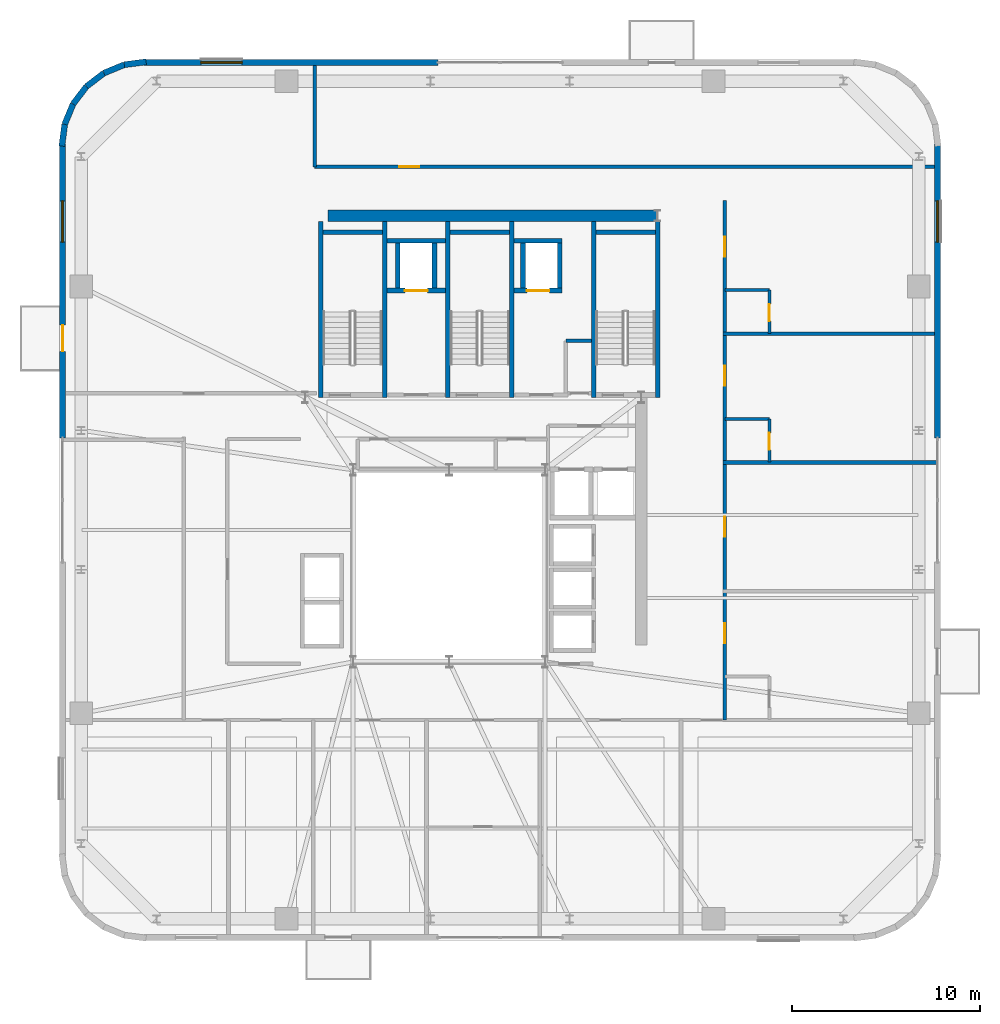
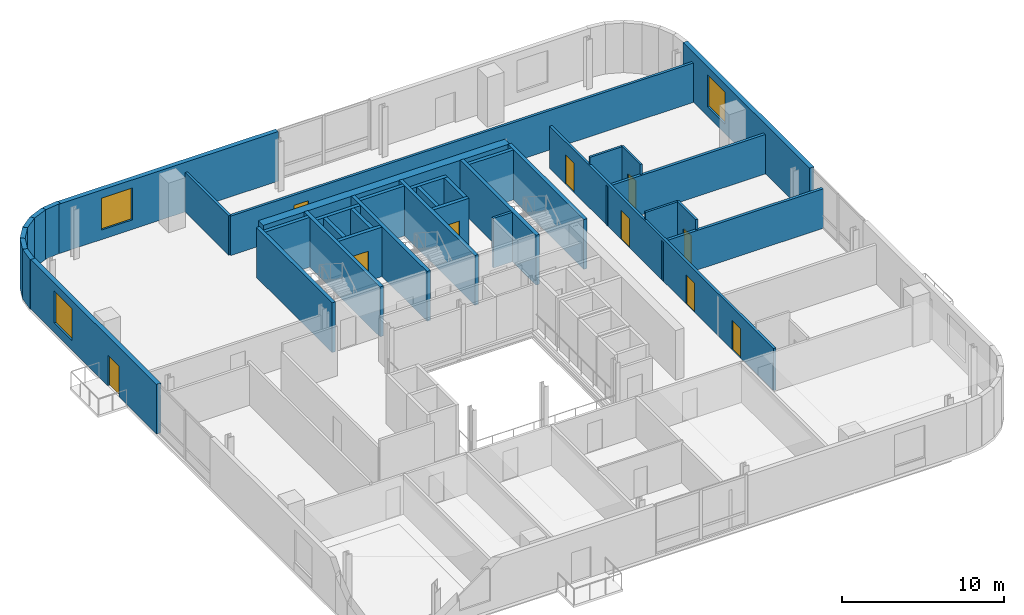
# One storey, part 10 of 15: 37 walls, 10 doors, 3 windows, 13 openings.
"""IFC4 building model written with IfcOpenShell, lengths in metres."""

from ifc_helpers import new_model, si_unit, direction, frame, frame_2d, origin, place, context, subcontext, project, spatial, rectangle, extrude, source, transform, mapped, material, layer, layer_set, type_object, element, fill, save


model = new_model("IFC4")

# Units and contexts
model_context = context("Model", 3, precision=1e-05, world=origin(), true_north=direction((0.0, 1.0)))
body_context = subcontext(model_context, "Body", "Model", "MODEL_VIEW")
ifc_project = project(units=[si_unit("LENGTHUNIT", "METRE"), si_unit("AREAUNIT", "SQUARE_METRE"), si_unit("VOLUMEUNIT", "CUBIC_METRE"), si_unit("PLANEANGLEUNIT", "RADIAN"), si_unit("MASSUNIT", "GRAM", prefix="KILO")], contexts=[model_context])

# Site, building, storey
site_placement = place(None, origin())
site = spatial("IfcSite", under=ifc_project, at=site_placement, CompositionType="ELEMENT")
building_placement = place(site_placement, origin())
building = spatial("IfcBuilding", under=site, at=building_placement, Name="Vardaveli Station Tower", CompositionType="ELEMENT")
storey_placement = place(building_placement, frame((0.0, 0.0, 246.64990234375)))
storey = spatial("IfcBuildingStorey", under=building, at=storey_placement, Name="L63", CompositionType="ELEMENT", Elevation=246.64990234375)

# Wall
ifc_material_1 = material(Name="Concrete C50/60", Category="concrete")
ifc_layer_1 = layer(ifc_material_1, 0.60009765625, Name="Concrete C50/60")
ifc_layer_set_1 = layer_set([ifc_layer_1], Name="Concrete C50/60")
wall_type_1 = type_object("IfcWallType", Name="WAL-CORE-600", PredefinedType="SHEAR", material=ifc_layer_set_1)
shared_shape_1 = source(origin(), body_context, "Body", "SweptSolid", [
    extrude(rectangle(XDim=17.52001953125, YDim=0.60009765625, at=frame_2d((8.760009765625, 0.0))), origin(), (0.0, 0.0, 1.0), 3.72998046875),
])
wall_1_placement = place(storey_placement, frame((29.85009765625, 40.300048828125, 0.0), z_axis=(0.0, 0.0, 1.0), x_axis=(1.0, 0.0, 0.0)))
element("IfcWall", 1, at=wall_1_placement, inside=storey, type_object=wall_type_1, Name="SW-L63-NORTH", PredefinedType="SHEAR", context=body_context, shape_type="MappedRepresentation", body=[
    mapped(shared_shape_1, transform((0.0, 0.0, 0.0), scale=1.0)),
])

# Wall, opening, window
ifc_material_2 = material(Name="Precast concrete C45/55", Category="concrete")
ifc_layer_2 = layer(ifc_material_2, 0.320068359375, Name="Precast concrete C45/55")
ifc_layer_set_2 = layer_set([ifc_layer_2], Name="Precast concrete C45/55")
wall_type_2 = type_object("IfcWallType", Name="WAL-EXT-STONE-320", PredefinedType="SOLIDWALL", material=ifc_layer_set_2)
shared_shape_2 = source(origin(), body_context, "Body", "SweptSolid", [
    extrude(rectangle(XDim=15.599853515625, YDim=0.320068359375, at=frame_2d((7.7998046875, 0.0))), origin(), (0.0, 0.0, 1.0), 3.72998046875),
])
wall_2_placement = place(storey_placement, frame((35.699951171875, 48.43994140625, 0.0), z_axis=(0.0, 0.0, 1.0), x_axis=(-1.0, 0.0, 0.0)))
wall_2 = element("IfcWall", 2, at=wall_2_placement, inside=storey, type_object=wall_type_2, Name="EW-L63-N2", PredefinedType="SOLIDWALL", context=body_context, shape_type="MappedRepresentation", body=[
    mapped(shared_shape_2, transform((0.0, 0.0, 0.0), scale=1.0)),
])
shared_shape_3 = source(origin(), body_context, "Body", "SweptSolid", [
    extrude(rectangle(XDim=2.199951171875, YDim=2.39990234375, at=frame_2d((1.10009765625, 1.199951171875))), frame((0.0, 0.169921875, 0.0), z_axis=(0.0, -1.0, 0.0), x_axis=(1.0, 0.0, 0.0)), (0.0, 0.0, 1.0), 0.340087890625),
])
opening_1_placement = place(wall_2_placement, frame((10.39501953125, 0.0, 0.719970703125)))
opening_1 = element("IfcOpeningElement", 3, at=opening_1_placement, cuts=wall_2, Name="Opening W-03", PredefinedType="OPENING", context=body_context, shape_type="MappedRepresentation", body=[
    mapped(shared_shape_3, transform((0.0, 0.0, 0.0), scale=1.0)),
])
ifc_material_3 = material(Name="Low-E solar-control glass", Category="glass")
window_type = type_object("IfcWindowType", Name="WIN-LOG-2200x2400", PartitioningType="SINGLE_PANEL", PredefinedType="WINDOW", material=ifc_material_3)
shared_shape_4 = source(origin(), body_context, "Body", "SweptSolid", [
    extrude(rectangle(XDim=2.199951171875, YDim=2.39990234375, at=frame_2d((1.10009765625, 1.199951171875))), frame((0.0, 0.030029296875, 0.0), z_axis=(0.0, -1.0, 0.0), x_axis=(1.0, 0.0, 0.0)), (0.0, 0.0, 1.0), 0.06005859375),
])
window_1_placement = place(opening_1_placement, origin())
window_1 = element("IfcWindow", 4, at=window_1_placement, inside=storey, type_object=window_type, Name="WN-L63-N2", OverallHeight=2.39990234375, OverallWidth=2.199951171875, PartitioningType="SINGLE_PANEL", PredefinedType="WINDOW", context=body_context, shape_type="MappedRepresentation", body=[
    mapped(shared_shape_4, transform((0.0, 0.0, 0.0), scale=1.0)),
])
fill(opening_1, window_1)

# Wall, openings, door, window
shared_shape_5 = source(origin(), body_context, "Body", "SweptSolid", [
    extrude(rectangle(XDim=15.60009765625, YDim=0.320068359375, at=frame_2d((7.800048828125, 0.0))), origin(), (0.0, 0.0, 1.0), 3.72998046875),
])
wall_3_placement = place(storey_placement, frame((15.760009765625, 44.10009765625, 0.0), z_axis=(0.0, 0.0, 1.0), x_axis=(0.0, -1.0, 0.0)))
wall_3 = element("IfcWall", 5, at=wall_3_placement, inside=storey, type_object=wall_type_2, Name="EW-L63-W1", PredefinedType="SOLIDWALL", context=body_context, shape_type="MappedRepresentation", body=[
    mapped(shared_shape_5, transform((0.0, 0.0, 0.0), scale=1.0)),
])
shared_shape_6 = source(origin(), body_context, "Body", "SweptSolid", [
    extrude(rectangle(XDim=1.39990234375, YDim=2.300048828125, at=frame_2d((0.699951171875, 1.14990234375))), frame((0.0, 0.169921875, 0.0), z_axis=(0.0, -1.0, 0.0), x_axis=(1.0, 0.0, 0.0)), (0.0, 0.0, 1.0), 0.340087890625),
])
opening_2_placement = place(wall_3_placement, frame((9.6103515625, 0.0, 0.0)))
opening_2 = element("IfcOpeningElement", 6, at=opening_2_placement, cuts=wall_3, Name="Opening D-09", PredefinedType="OPENING", context=body_context, shape_type="MappedRepresentation", body=[
    mapped(shared_shape_6, transform((0.0, 0.0, 0.0), scale=1.0)),
])
opening_3_placement = place(wall_3_placement, frame((3.0048828125, 0.0, 0.719970703125)))
opening_3 = element("IfcOpeningElement", 7, at=opening_3_placement, cuts=wall_3, Name="Opening W-03", PredefinedType="OPENING", context=body_context, shape_type="MappedRepresentation", body=[
    mapped(shared_shape_3, transform((0.0, 0.0, 0.0), scale=1.0)),
])
ifc_material_4 = material(Name="Thermally broken aluminium glass", Category="aluminium")
door_type_1 = type_object("IfcDoorType", Name="DR-LOG-1400x2300", OperationType="DOUBLE_DOOR_SLIDING", PredefinedType="DOOR", material=ifc_material_4)
shared_shape_7 = source(origin(), body_context, "Body", "SweptSolid", [
    extrude(rectangle(XDim=1.39990234375, YDim=2.300048828125, at=frame_2d((0.699951171875, 1.14990234375))), frame((0.0, 0.02490234375, 0.0), z_axis=(0.0, -1.0, 0.0), x_axis=(1.0, 0.0, 0.0)), (0.0, 0.0, 1.0), 0.050048828125),
])
door_1_placement = place(opening_2_placement, frame((1.39990234375, 0.0, 0.0), z_axis=(0.0, 0.0, 1.0), x_axis=(-1.0, 0.0, 0.0)))
door_1 = element("IfcDoor", 8, at=door_1_placement, inside=storey, type_object=door_type_1, Name="DLG-L63-W", OperationType="DOUBLE_DOOR_SLIDING", OverallHeight=2.300048828125, OverallWidth=1.39990234375, PredefinedType="DOOR", context=body_context, shape_type="MappedRepresentation", body=[
    mapped(shared_shape_7, transform((0.0, 0.0, 0.0), scale=1.0)),
])
fill(opening_2, door_1)
window_2_placement = place(opening_3_placement, origin())
window_2 = element("IfcWindow", 9, at=window_2_placement, inside=storey, type_object=window_type, Name="WN-L63-W1", OverallHeight=2.39990234375, OverallWidth=2.199951171875, PartitioningType="SINGLE_PANEL", PredefinedType="WINDOW", context=body_context, shape_type="MappedRepresentation", body=[
    mapped(shared_shape_4, transform((0.0, 0.0, 0.0), scale=1.0)),
])
fill(opening_3, window_2)

# Wall, opening, window
wall_4_placement = place(storey_placement, frame((62.239990234375, 28.5, 0.0), z_axis=(0.0, 0.0, 1.0), x_axis=(0.0, 1.0, 0.0)))
wall_4 = element("IfcWall", 10, at=wall_4_placement, inside=storey, type_object=wall_type_2, Name="EW-L63-E2", PredefinedType="SOLIDWALL", context=body_context, shape_type="MappedRepresentation", body=[
    mapped(shared_shape_5, transform((0.0, 0.0, 0.0), scale=1.0)),
])
opening_4_placement = place(wall_4_placement, frame((10.39501953125, 0.0, 0.719970703125)))
opening_4 = element("IfcOpeningElement", 11, at=opening_4_placement, cuts=wall_4, Name="Opening W-03", PredefinedType="OPENING", context=body_context, shape_type="MappedRepresentation", body=[
    mapped(shared_shape_3, transform((0.0, 0.0, 0.0), scale=1.0)),
])
window_3_placement = place(opening_4_placement, origin())
window_3 = element("IfcWindow", 12, at=window_3_placement, inside=storey, type_object=window_type, Name="WN-L63-E2", OverallHeight=2.39990234375, OverallWidth=2.199951171875, PartitioningType="SINGLE_PANEL", PredefinedType="WINDOW", context=body_context, shape_type="MappedRepresentation", body=[
    mapped(shared_shape_4, transform((0.0, 0.0, 0.0), scale=1.0)),
])
fill(opening_4, window_3)

# Walls
shared_shape_8 = source(origin(), body_context, "Body", "SweptSolid", [
    extrude(rectangle(XDim=1.1689453125, YDim=0.320068359375, at=frame_2d((0.58447265625, 0.0))), origin(), (0.0, 0.0, 1.0), 3.72998046875),
])
wall_5_placement = place(storey_placement, frame((17.03125, 47.1689453125, 0.0), z_axis=(0.0, 0.0, 1.0), x_axis=(-0.608387696831, -0.793639975269, 0.0)))
element("IfcWall", 13, at=wall_5_placement, inside=storey, type_object=wall_type_2, Name="EW-L63-CR4-4", PredefinedType="SOLIDWALL", context=body_context, shape_type="MappedRepresentation", body=[
    mapped(shared_shape_8, transform((0.0, 0.0, 0.0), scale=1.0)),
])
shared_shape_9 = source(origin(), body_context, "Body", "SweptSolid", [
    extrude(rectangle(XDim=1.168701171875, YDim=0.320068359375, at=frame_2d((0.58447265625, 0.0))), origin(), (0.0, 0.0, 1.0), 3.72998046875),
])
wall_6_placement = place(storey_placement, frame((17.958740234375, 47.8798828125, 0.0), z_axis=(0.0, 0.0, 1.0), x_axis=(-0.793663520347, -0.608356981114, 0.0)))
element("IfcWall", 14, at=wall_6_placement, inside=storey, type_object=wall_type_2, Name="EW-L63-CR4-3", PredefinedType="SOLIDWALL", context=body_context, shape_type="MappedRepresentation", body=[
    mapped(shared_shape_9, transform((0.0, 0.0, 0.0), scale=1.0)),
])
shared_shape_10 = source(origin(), body_context, "Body", "SweptSolid", [
    extrude(rectangle(XDim=1.17041015625, YDim=0.320068359375, at=frame_2d((0.585205078125, 0.0))), origin(), (0.0, 0.0, 1.0), 3.72998046875),
])
for number, where, z_axis, x_axis, name in (
    (15, (20.200439453125, 48.4755859375, 0.0), (0.0, 0.0, 1.0), (-0.991735963317, -0.128295670475, 0.0), "EW-L63-CR4-1"),
    (16, (15.87451171875, 45.16015625, 0.0), (0.0, 0.0, 1.0), (-0.128295670475, -0.991735963317, 0.0), "EW-L63-CR4-6"),
):
    element("IfcWall", number, at=place(storey_placement, frame(where, z_axis=z_axis, x_axis=x_axis)), inside=storey, type_object=wall_type_2, Name=name, PredefinedType="SOLIDWALL", context=body_context, shape_type="MappedRepresentation", body=[
        mapped(shared_shape_10, transform((0.0, 0.0, 0.0), scale=1.0)),
    ])
shared_shape_11 = source(origin(), body_context, "Body", "SweptSolid", [
    extrude(rectangle(XDim=1.169189453125, YDim=0.320068359375, at=frame_2d((0.58447265625, 0.0))), origin(), (0.0, 0.0, 1.0), 3.72998046875),
])
for number, where, z_axis, x_axis, name in (
    (17, (19.039794921875, 48.325439453125, 0.0), (0.0, 0.0, 1.0), (-0.924552646638, -0.381054331552, 0.0), "EW-L63-CR4-2"),
    (18, (16.320068359375, 46.2412109375, 0.0), (0.0, 0.0, 1.0), (-0.381054331552, -0.924552646638, 0.0), "EW-L63-CR4-5"),
):
    element("IfcWall", number, at=place(storey_placement, frame(where, z_axis=z_axis, x_axis=x_axis)), inside=storey, type_object=wall_type_2, Name=name, PredefinedType="SOLIDWALL", context=body_context, shape_type="MappedRepresentation", body=[
        mapped(shared_shape_11, transform((0.0, 0.0, 0.0), scale=1.0)),
    ])
ifc_material_5 = material(Name="Concrete C40/50", Category="concrete")
ifc_layer_3 = layer(ifc_material_5, 0.25, Name="Concrete C40/50")
ifc_layer_set_3 = layer_set([ifc_layer_3], Name="Concrete C40/50")
wall_type_3 = type_object("IfcWallType", Name="WAL-SHAFT-250", PredefinedType="SOLIDWALL", material=ifc_layer_set_3)
shared_shape_12 = source(origin(), body_context, "Body", "SweptSolid", [
    extrude(rectangle(XDim=9.35009765625, YDim=0.25, at=frame_2d((4.675048828125, 0.0))), origin(), (0.0, 0.0, 1.0), 3.75),
])
for number, where, z_axis, x_axis, name in (
    (19, (29.47509765625, 30.64990234375, 0.0), (0.0, 0.0, 1.0), (0.0, 1.0, 0.0), "W-L63-ST-1W"),
    (20, (32.875, 30.64990234375, 0.0), (0.0, 0.0, 1.0), (0.0, 1.0, 0.0), "W-L63-ST-1E"),
    (21, (36.22509765625, 30.64990234375, 0.0), (0.0, 0.0, 1.0), (0.0, 1.0, 0.0), "W-L63-ST-2W"),
    (22, (39.625, 30.64990234375, 0.0), (0.0, 0.0, 1.0), (0.0, 1.0, 0.0), "W-L63-ST-2E"),
    (23, (43.97509765625, 30.64990234375, 0.0), (0.0, 0.0, 1.0), (0.0, 1.0, 0.0), "W-L63-ST-3W"),
    (24, (47.375, 30.64990234375, 0.0), (0.0, 0.0, 1.0), (0.0, 1.0, 0.0), "W-L63-ST-3E"),
):
    element("IfcWall", number, at=place(storey_placement, frame(where, z_axis=z_axis, x_axis=x_axis)), inside=storey, type_object=wall_type_3, Name=name, PredefinedType="SOLIDWALL", context=body_context, shape_type="MappedRepresentation", body=[
        mapped(shared_shape_12, transform((0.0, 0.0, 0.0), scale=1.0)),
    ])
shared_shape_13 = source(origin(), body_context, "Body", "SweptSolid", [
    extrude(rectangle(XDim=3.14990234375, YDim=0.25, at=frame_2d((1.574951171875, 0.0))), origin(), (0.0, 0.0, 1.0), 3.75),
])
for number, where, z_axis, x_axis, name in (
    (25, (29.60009765625, 39.425048828125, 0.0), (0.0, 0.0, 1.0), (1.0, 0.0, 0.0), "W-L63-ST-1N"),
    (26, (36.35009765625, 39.425048828125, 0.0), (0.0, 0.0, 1.0), (1.0, 0.0, 0.0), "W-L63-ST-2N"),
    (27, (44.10009765625, 39.425048828125, 0.0), (0.0, 0.0, 1.0), (1.0, 0.0, 0.0), "W-L63-ST-3N"),
):
    element("IfcWall", number, at=place(storey_placement, frame(where, z_axis=z_axis, x_axis=x_axis)), inside=storey, type_object=wall_type_3, Name=name, PredefinedType="SOLIDWALL", context=body_context, shape_type="MappedRepresentation", body=[
        mapped(shared_shape_13, transform((0.0, 0.0, 0.0), scale=1.0)),
    ])

# Wall, opening, door
shared_shape_14 = source(origin(), body_context, "Body", "SweptSolid", [
    extrude(rectangle(XDim=3.10009765625, YDim=0.25, at=frame_2d((1.550048828125, 0.0))), origin(), (0.0, 0.0, 1.0), 3.72998046875),
])
wall_7_placement = place(storey_placement, frame((33.0, 36.324951171875, 0.0), z_axis=(0.0, 0.0, 1.0), x_axis=(1.0, 0.0, 0.0)))
wall_7 = element("IfcWall", 28, at=wall_7_placement, inside=storey, type_object=wall_type_3, Name="SHW-FFL-01-L63-S", PredefinedType="SOLIDWALL", context=body_context, shape_type="MappedRepresentation", body=[
    mapped(shared_shape_14, transform((0.0, 0.0, 0.0), scale=1.0)),
])
shared_shape_15 = source(origin(), body_context, "Body", "SweptSolid", [
    extrude(rectangle(XDim=1.199951171875, YDim=2.25, at=frame_2d((0.60009765625, 1.125))), frame((0.0, 0.135009765625, 0.0), z_axis=(0.0, -1.0, 0.0), x_axis=(1.0, 0.0, 0.0)), (0.0, 0.0, 1.0), 0.27001953125),
])
opening_5_placement = place(wall_7_placement, frame((0.949951171875, 0.0, 0.0)))
opening_5 = element("IfcOpeningElement", 29, at=opening_5_placement, cuts=wall_7, Name="Opening LD-02", PredefinedType="OPENING", context=body_context, shape_type="MappedRepresentation", body=[
    mapped(shared_shape_15, transform((0.0, 0.0, 0.0), scale=1.0)),
])
ifc_material_6 = material(Name="Brushed stainless steel", Category="steel")
door_type_2 = type_object("IfcDoorType", Name="DR-LD-1200x2250", OperationType="DOUBLE_DOOR_SLIDING", PredefinedType="DOOR", material=ifc_material_6)
shared_shape_16 = source(origin(), body_context, "Body", "SweptSolid", [
    extrude(rectangle(XDim=1.199951171875, YDim=2.25, at=frame_2d((0.60009765625, 1.125))), frame((0.0, 0.02490234375, 0.0), z_axis=(0.0, -1.0, 0.0), x_axis=(1.0, 0.0, 0.0)), (0.0, 0.0, 1.0), 0.050048828125),
])
door_2_placement = place(opening_5_placement, origin())
door_2 = element("IfcDoor", 30, at=door_2_placement, inside=storey, type_object=door_type_2, Name="LD-FFL-01-L63", OperationType="DOUBLE_DOOR_SLIDING", OverallHeight=2.25, OverallWidth=1.199951171875, PredefinedType="DOOR", context=body_context, shape_type="MappedRepresentation", body=[
    mapped(shared_shape_16, transform((0.0, 0.0, 0.0), scale=1.0)),
])
fill(opening_5, door_2)

# Walls
wall_8_placement = place(storey_placement, frame((33.0, 38.97509765625, 0.0), z_axis=(0.0, 0.0, 1.0), x_axis=(1.0, 0.0, 0.0)))
element("IfcWall", 31, at=wall_8_placement, inside=storey, type_object=wall_type_3, Name="SHW-FFL-01-L63-N", PredefinedType="SOLIDWALL", context=body_context, shape_type="MappedRepresentation", body=[
    mapped(shared_shape_14, transform((0.0, 0.0, 0.0), scale=1.0)),
])
shared_shape_17 = source(origin(), body_context, "Body", "SweptSolid", [
    extrude(rectangle(XDim=2.400146484375, YDim=0.25, at=frame_2d((1.2001953125, 0.0))), origin(), (0.0, 0.0, 1.0), 3.72998046875),
])
for number, where, z_axis, x_axis, name in (
    (32, (33.574951171875, 36.449951171875, 0.0), (0.0, 0.0, 1.0), (0.0, 1.0, 0.0), "SHW-FFL-01-L63-W"),
    (33, (35.52490234375, 36.449951171875, 0.0), (0.0, 0.0, 1.0), (0.0, 1.0, 0.0), "SHW-FFL-01-L63-E"),
    (34, (40.22509765625, 36.449951171875, 0.0), (0.0, 0.0, 1.0), (0.0, 1.0, 0.0), "SHW-FFL-02-L63-W"),
    (35, (42.175048828125, 36.449951171875, 0.0), (0.0, 0.0, 1.0), (0.0, 1.0, 0.0), "SHW-FFL-02-L63-E"),
):
    element("IfcWall", number, at=place(storey_placement, frame(where, z_axis=z_axis, x_axis=x_axis)), inside=storey, type_object=wall_type_3, Name=name, PredefinedType="SOLIDWALL", context=body_context, shape_type="MappedRepresentation", body=[
        mapped(shared_shape_17, transform((0.0, 0.0, 0.0), scale=1.0)),
    ])

# Wall, opening, door
shared_shape_18 = source(origin(), body_context, "Body", "SweptSolid", [
    extrude(rectangle(XDim=2.550048828125, YDim=0.25, at=frame_2d((1.27490234375, 0.0))), origin(), (0.0, 0.0, 1.0), 3.72998046875),
])
wall_9_placement = place(storey_placement, frame((39.75, 36.324951171875, 0.0), z_axis=(0.0, 0.0, 1.0), x_axis=(1.0, 0.0, 0.0)))
wall_9 = element("IfcWall", 36, at=wall_9_placement, inside=storey, type_object=wall_type_3, Name="SHW-FFL-02-L63-S", PredefinedType="SOLIDWALL", context=body_context, shape_type="MappedRepresentation", body=[
    mapped(shared_shape_18, transform((0.0, 0.0, 0.0), scale=1.0)),
])
opening_6_placement = place(wall_9_placement, frame((0.675048828125, 0.0, 0.0)))
opening_6 = element("IfcOpeningElement", 37, at=opening_6_placement, cuts=wall_9, Name="Opening LD-02", PredefinedType="OPENING", context=body_context, shape_type="MappedRepresentation", body=[
    mapped(shared_shape_15, transform((0.0, 0.0, 0.0), scale=1.0)),
])
door_3_placement = place(opening_6_placement, origin())
door_3 = element("IfcDoor", 38, at=door_3_placement, inside=storey, type_object=door_type_2, Name="LD-FFL-02-L63", OperationType="DOUBLE_DOOR_SLIDING", OverallHeight=2.25, OverallWidth=1.199951171875, PredefinedType="DOOR", context=body_context, shape_type="MappedRepresentation", body=[
    mapped(shared_shape_16, transform((0.0, 0.0, 0.0), scale=1.0)),
])
fill(opening_6, door_3)

# Wall
wall_10_placement = place(storey_placement, frame((39.75, 38.97509765625, 0.0), z_axis=(0.0, 0.0, 1.0), x_axis=(1.0, 0.0, 0.0)))
element("IfcWall", 39, at=wall_10_placement, inside=storey, type_object=wall_type_3, Name="SHW-FFL-02-L63-N", PredefinedType="SOLIDWALL", context=body_context, shape_type="MappedRepresentation", body=[
    mapped(shared_shape_18, transform((0.0, 0.0, 0.0), scale=1.0)),
])

# Wall, opening, door
ifc_material_7 = material(Name="Fire-rated gypsum stud partition")
ifc_layer_4 = layer(ifc_material_7, 0.179931640625, Name="Fire-rated gypsum stud partition")
ifc_layer_set_4 = layer_set([ifc_layer_4], Name="Fire-rated gypsum stud partition")
wall_type_4 = type_object("IfcWallType", Name="WAL-CORR-180", PredefinedType="PARTITIONING", material=ifc_layer_set_4)
shared_shape_19 = source(origin(), body_context, "Body", "SweptSolid", [
    extrude(rectangle(XDim=32.927978515625, YDim=0.179931640625, at=frame_2d((16.4638671875, 0.0))), origin(), (0.0, 0.0, 1.0), 2.97216796875),
])
wall_11_placement = place(storey_placement, frame((29.14990234375, 42.89990234375, 0.0), z_axis=(0.0, 0.0, 1.0), x_axis=(1.0, 0.0, 0.0)))
wall_11 = element("IfcWall", 40, at=wall_11_placement, inside=storey, type_object=wall_type_4, Name="W-L63-NPS", PredefinedType="PARTITIONING", context=body_context, shape_type="MappedRepresentation", body=[
    mapped(shared_shape_19, transform((0.0, 0.0, 0.0), scale=1.0)),
])
shared_shape_20 = source(origin(), body_context, "Body", "SweptSolid", [
    extrude(rectangle(XDim=1.050048828125, YDim=2.199951171875, at=frame_2d((0.52490234375, 1.10009765625))), frame((0.0, 0.10009765625, 0.0), z_axis=(0.0, -1.0, 0.0), x_axis=(1.0, 0.0, 0.0)), (0.0, 0.0, 1.0), 0.199951171875),
])
opening_7_placement = place(wall_11_placement, frame((4.5, 0.0, 0.0)))
opening_7 = element("IfcOpeningElement", 41, at=opening_7_placement, cuts=wall_11, Name="Opening D-05", PredefinedType="OPENING", context=body_context, shape_type="MappedRepresentation", body=[
    mapped(shared_shape_20, transform((0.0, 0.0, 0.0), scale=1.0)),
])
ifc_material_8 = material(Name="Walnut veneer acoustic fire door")
door_type_3 = type_object("IfcDoorType", Name="DR-SUITE-1050x2200", OperationType="NOTDEFINED", PredefinedType="DOOR", material=ifc_material_8)
shared_shape_21 = source(origin(), body_context, "Body", "SweptSolid", [
    extrude(rectangle(XDim=1.050048828125, YDim=2.199951171875, at=frame_2d((0.52490234375, 1.10009765625))), frame((0.0, 0.02490234375, 0.0), z_axis=(0.0, -1.0, 0.0), x_axis=(1.0, 0.0, 0.0)), (0.0, 0.0, 1.0), 0.050048828125),
])
door_4_placement = place(opening_7_placement, origin())
door_4 = element("IfcDoor", 42, at=door_4_placement, inside=storey, type_object=door_type_3, Name="D-L63-NP1", OperationType="SINGLE_SWING_RIGHT", OverallHeight=2.199951171875, OverallWidth=1.050048828125, PredefinedType="DOOR", context=body_context, shape_type="MappedRepresentation", body=[
    mapped(shared_shape_21, transform((0.0, 0.0, 0.0), scale=1.0)),
])
fill(opening_7, door_4)

# Walls
ifc_material_9 = material(Name="Moisture-resistant stud partition")
ifc_layer_5 = layer(ifc_material_9, 0.14990234375, Name="Moisture-resistant stud partition")
ifc_layer_set_5 = layer_set([ifc_layer_5], Name="Moisture-resistant stud partition")
wall_type_5 = type_object("IfcWallType", Name="WAL-WET-150", PredefinedType="PARTITIONING", material=ifc_layer_set_5)
shared_shape_22 = source(origin(), body_context, "Body", "SweptSolid", [
    extrude(rectangle(XDim=2.360107421875, YDim=0.14990234375, at=frame_2d((1.18017578125, 0.0))), origin(), (0.0, 0.0, 1.0), 3.72998046875),
])
for number, where, z_axis, x_axis, name in (
    (43, (50.949951171875, 29.5048828125, 0.0), (0.0, 0.0, 1.0), (1.0, 0.0, 0.0), "W-L63-BE3-N"),
    (44, (50.949951171875, 36.347900390625, 0.0), (0.0, 0.0, 1.0), (1.0, 0.0, 0.0), "W-L63-BE4-N"),
):
    element("IfcWall", number, at=place(storey_placement, frame(where, z_axis=z_axis, x_axis=x_axis)), inside=storey, type_object=wall_type_5, Name=name, PredefinedType="PARTITIONING", context=body_context, shape_type="MappedRepresentation", body=[
        mapped(shared_shape_22, transform((0.0, 0.0, 0.0), scale=1.0)),
    ])
shared_shape_23 = source(origin(), body_context, "Body", "SweptSolid", [
    extrude(rectangle(XDim=1.347900390625, YDim=0.179931640625, at=frame_2d((0.673828125, 0.0))), origin(), (0.0, 0.0, 1.0), 3.72998046875),
])
wall_12_placement = place(storey_placement, frame((42.5, 33.64990234375, 0.0), z_axis=(0.0, 0.0, 1.0), x_axis=(1.0, 0.0, 0.0)))
element("IfcWall", 45, at=wall_12_placement, inside=storey, type_object=wall_type_4, Name="W-L63-CBS0-N", PredefinedType="PARTITIONING", context=body_context, shape_type="MappedRepresentation", body=[
    mapped(shared_shape_23, transform((0.0, 0.0, 0.0), scale=1.0)),
])

# Wall, openings, doors
shared_shape_24 = source(origin(), body_context, "Body", "SweptSolid", [
    extrude(rectangle(XDim=27.590087890625, YDim=0.179931640625, at=frame_2d((13.794921875, 0.0))), origin(), (0.0, 0.0, 1.0), 3.172119140625),
])
wall_13_placement = place(storey_placement, frame((50.949951171875, 13.510009765625, 0.0), z_axis=(0.0, 0.0, 1.0), x_axis=(0.0, 1.0, 0.0)))
wall_13 = element("IfcWall", 46, at=wall_13_placement, inside=storey, type_object=wall_type_4, Name="W-L63-CE", PredefinedType="PARTITIONING", context=body_context, shape_type="MappedRepresentation", body=[
    mapped(shared_shape_24, transform((0.0, 0.0, 0.0), scale=1.0)),
])
opening_8_placement = place(wall_13_placement, frame((4.086181640625, 0.0, 0.0)))
opening_8 = element("IfcOpeningElement", 47, at=opening_8_placement, cuts=wall_13, Name="Opening D-05", PredefinedType="OPENING", context=body_context, shape_type="MappedRepresentation", body=[
    mapped(shared_shape_20, transform((0.0, 0.0, 0.0), scale=1.0)),
])
opening_9_placement = place(wall_13_placement, frame((9.743896484375, 0.0, 0.0)))
opening_9 = element("IfcOpeningElement", 48, at=opening_9_placement, cuts=wall_13, Name="Opening D-05", PredefinedType="OPENING", context=body_context, shape_type="MappedRepresentation", body=[
    mapped(shared_shape_20, transform((0.0, 0.0, 0.0), scale=1.0)),
])
opening_10_placement = place(wall_13_placement, frame((17.771240234375, 0.0, 0.0)))
opening_10 = element("IfcOpeningElement", 49, at=opening_10_placement, cuts=wall_13, Name="Opening D-05", PredefinedType="OPENING", context=body_context, shape_type="MappedRepresentation", body=[
    mapped(shared_shape_20, transform((0.0, 0.0, 0.0), scale=1.0)),
])
opening_11_placement = place(wall_13_placement, frame((24.61376953125, 0.0, 0.0)))
opening_11 = element("IfcOpeningElement", 50, at=opening_11_placement, cuts=wall_13, Name="Opening D-05", PredefinedType="OPENING", context=body_context, shape_type="MappedRepresentation", body=[
    mapped(shared_shape_20, transform((0.0, 0.0, 0.0), scale=1.0)),
])
door_5_placement = place(opening_8_placement, origin())
door_5 = element("IfcDoor", 51, at=door_5_placement, inside=storey, type_object=door_type_3, Name="D-L63-GE1", OperationType="SINGLE_SWING_LEFT", OverallHeight=2.199951171875, OverallWidth=1.050048828125, PredefinedType="DOOR", context=body_context, shape_type="MappedRepresentation", body=[
    mapped(shared_shape_21, transform((0.0, 0.0, 0.0), scale=1.0)),
])
fill(opening_8, door_5)
door_6_placement = place(opening_9_placement, origin())
door_6 = element("IfcDoor", 52, at=door_6_placement, inside=storey, type_object=door_type_3, Name="D-L63-GE2", OperationType="SINGLE_SWING_RIGHT", OverallHeight=2.199951171875, OverallWidth=1.050048828125, PredefinedType="DOOR", context=body_context, shape_type="MappedRepresentation", body=[
    mapped(shared_shape_21, transform((0.0, 0.0, 0.0), scale=1.0)),
])
fill(opening_9, door_6)
door_7_placement = place(opening_10_placement, origin())
door_7 = element("IfcDoor", 53, at=door_7_placement, inside=storey, type_object=door_type_3, Name="D-L63-GE3", OperationType="SINGLE_SWING_LEFT", OverallHeight=2.199951171875, OverallWidth=1.050048828125, PredefinedType="DOOR", context=body_context, shape_type="MappedRepresentation", body=[
    mapped(shared_shape_21, transform((0.0, 0.0, 0.0), scale=1.0)),
])
fill(opening_10, door_7)
door_8_placement = place(opening_11_placement, origin())
door_8 = element("IfcDoor", 54, at=door_8_placement, inside=storey, type_object=door_type_3, Name="D-L63-GE4", OperationType="SINGLE_SWING_RIGHT", OverallHeight=2.199951171875, OverallWidth=1.050048828125, PredefinedType="DOOR", context=body_context, shape_type="MappedRepresentation", body=[
    mapped(shared_shape_21, transform((0.0, 0.0, 0.0), scale=1.0)),
])
fill(opening_11, door_8)

# Wall, opening, door
shared_shape_25 = source(origin(), body_context, "Body", "SweptSolid", [
    extrude(rectangle(XDim=2.289794921875, YDim=0.14990234375, at=frame_2d((1.14501953125, 0.0))), origin(), (0.0, 0.0, 1.0), 3.72998046875),
])
wall_14_placement = place(storey_placement, frame((53.31005859375, 27.215087890625, 0.0), z_axis=(0.0, 0.0, 1.0), x_axis=(0.0, 1.0, 0.0)))
wall_14 = element("IfcWall", 55, at=wall_14_placement, inside=storey, type_object=wall_type_5, Name="W-L63-BE3-E", PredefinedType="PARTITIONING", context=body_context, shape_type="MappedRepresentation", body=[
    mapped(shared_shape_25, transform((0.0, 0.0, 0.0), scale=1.0)),
])
shared_shape_26 = source(origin(), body_context, "Body", "SweptSolid", [
    extrude(rectangle(XDim=0.89990234375, YDim=2.10009765625, at=frame_2d((0.449951171875, 1.050048828125))), frame((0.0, 0.0849609375, 0.0), z_axis=(0.0, -1.0, 0.0), x_axis=(1.0, 0.0, 0.0)), (0.0, 0.0, 1.0), 0.169921875),
])
opening_12_placement = place(wall_14_placement, frame((0.64990234375, 0.0, 0.0)))
opening_12 = element("IfcOpeningElement", 56, at=opening_12_placement, cuts=wall_14, Name="Opening D-08", PredefinedType="OPENING", context=body_context, shape_type="MappedRepresentation", body=[
    mapped(shared_shape_26, transform((0.0, 0.0, 0.0), scale=1.0)),
])
ifc_material_10 = material(Name="Moisture-resistant oak door")
door_type_4 = type_object("IfcDoorType", Name="DR-BATH-900x2100", OperationType="NOTDEFINED", PredefinedType="DOOR", material=ifc_material_10)
shared_shape_27 = source(origin(), body_context, "Body", "SweptSolid", [
    extrude(rectangle(XDim=0.89990234375, YDim=2.10009765625, at=frame_2d((0.449951171875, 1.050048828125))), frame((0.0, 0.02490234375, 0.0), z_axis=(0.0, -1.0, 0.0), x_axis=(1.0, 0.0, 0.0)), (0.0, 0.0, 1.0), 0.050048828125),
])
door_9_placement = place(opening_12_placement, origin())
door_9 = element("IfcDoor", 57, at=door_9_placement, inside=storey, type_object=door_type_4, Name="D-L63-BE3", OperationType="SINGLE_SWING_LEFT", OverallHeight=2.10009765625, OverallWidth=0.89990234375, PredefinedType="DOOR", context=body_context, shape_type="MappedRepresentation", body=[
    mapped(shared_shape_27, transform((0.0, 0.0, 0.0), scale=1.0)),
])
fill(opening_12, door_9)

wall_15_placement = place(storey_placement, frame((53.31005859375, 34.05810546875, 0.0), z_axis=(0.0, 0.0, 1.0), x_axis=(0.0, 1.0, 0.0)))
wall_15 = element("IfcWall", 58, at=wall_15_placement, inside=storey, type_object=wall_type_5, Name="W-L63-BE4-E", PredefinedType="PARTITIONING", context=body_context, shape_type="MappedRepresentation", body=[
    mapped(shared_shape_25, transform((0.0, 0.0, 0.0), scale=1.0)),
])
opening_13_placement = place(wall_15_placement, frame((0.64990234375, 0.0, 0.0)))
opening_13 = element("IfcOpeningElement", 59, at=opening_13_placement, cuts=wall_15, Name="Opening D-08", PredefinedType="OPENING", context=body_context, shape_type="MappedRepresentation", body=[
    mapped(shared_shape_26, transform((0.0, 0.0, 0.0), scale=1.0)),
])
door_10_placement = place(opening_13_placement, origin())
door_10 = element("IfcDoor", 60, at=door_10_placement, inside=storey, type_object=door_type_4, Name="D-L63-BE4", OperationType="SINGLE_SWING_RIGHT", OverallHeight=2.10009765625, OverallWidth=0.89990234375, PredefinedType="DOOR", context=body_context, shape_type="MappedRepresentation", body=[
    mapped(shared_shape_27, transform((0.0, 0.0, 0.0), scale=1.0)),
])
fill(opening_13, door_10)

# Walls
ifc_material_11 = material(Name="Acoustic twin-stud gypsum partition")
ifc_layer_6 = layer(ifc_material_11, 0.199951171875, Name="Acoustic twin-stud gypsum partition")
ifc_layer_set_6 = layer_set([ifc_layer_6], Name="Acoustic twin-stud gypsum partition")
wall_type_6 = type_object("IfcWallType", Name="WAL-PARTY-200", PredefinedType="PARTITIONING", material=ifc_layer_set_6)
shared_shape_28 = source(origin(), body_context, "Body", "SweptSolid", [
    extrude(rectangle(XDim=11.227783203125, YDim=0.199951171875, at=frame_2d((5.61376953125, 0.0))), origin(), (0.0, 0.0, 1.0), 2.97216796875),
])
wall_16_placement = place(storey_placement, frame((50.85009765625, 34.0380859375, 0.0), z_axis=(0.0, 0.0, 1.0), x_axis=(1.0, 0.0, 0.0)))
element("IfcWall", 61, at=wall_16_placement, inside=storey, type_object=wall_type_6, Name="W-L63-PE3", PredefinedType="PARTITIONING", context=body_context, shape_type="MappedRepresentation", body=[
    mapped(shared_shape_28, transform((0.0, 0.0, 0.0), scale=1.0)),
])
shared_shape_29 = source(origin(), body_context, "Body", "SweptSolid", [
    extrude(rectangle(XDim=11.419921875, YDim=0.199951171875, at=frame_2d((5.7099609375, 0.0))), origin(), (0.0, 0.0, 1.0), 2.97216796875),
])
wall_17_placement = place(storey_placement, frame((50.85009765625, 27.195068359375, 0.0), z_axis=(0.0, 0.0, 1.0), x_axis=(1.0, 0.0, 0.0)))
element("IfcWall", 62, at=wall_17_placement, inside=storey, type_object=wall_type_6, Name="W-L63-PE2", PredefinedType="PARTITIONING", context=body_context, shape_type="MappedRepresentation", body=[
    mapped(shared_shape_29, transform((0.0, 0.0, 0.0), scale=1.0)),
])
shared_shape_30 = source(origin(), body_context, "Body", "SweptSolid", [
    extrude(rectangle(XDim=5.378173828125, YDim=0.179931640625, at=frame_2d((2.68896484375, 0.0))), origin(), (0.0, 0.0, 1.0), 2.97216796875),
])
wall_18_placement = place(storey_placement, frame((29.14990234375, 42.89990234375, 0.0), z_axis=(0.0, 0.0, 1.0), x_axis=(0.0, 1.0, 0.0)))
element("IfcWall", 63, at=wall_18_placement, inside=storey, type_object=wall_type_4, Name="W-L63-NPW", PredefinedType="PARTITIONING", context=body_context, shape_type="MappedRepresentation", body=[
    mapped(shared_shape_30, transform((0.0, 0.0, 0.0), scale=1.0)),
])

save(model, "model.ifc")
